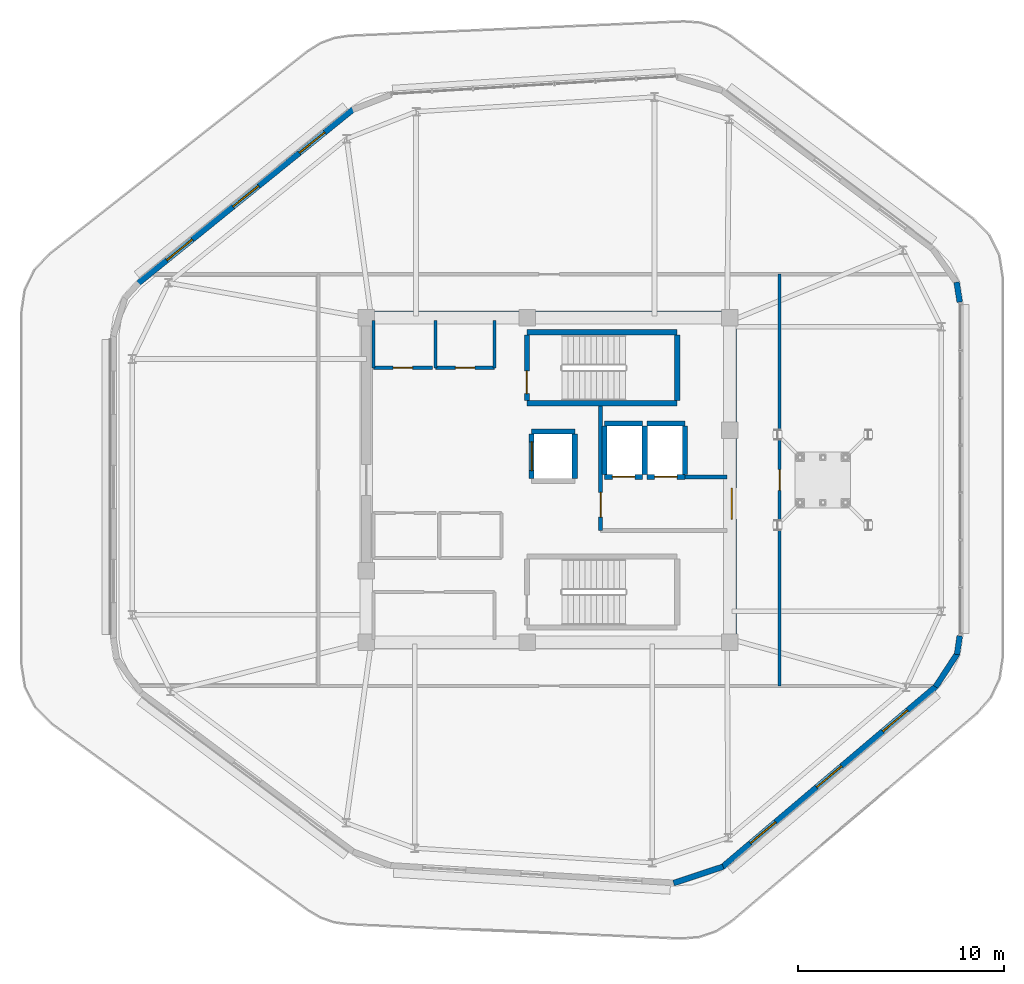
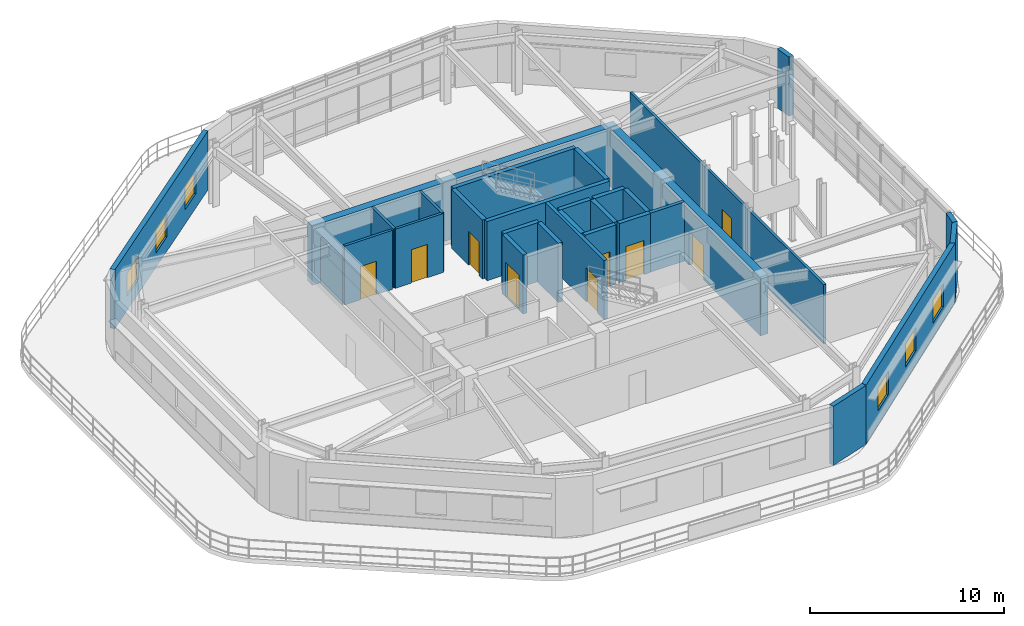
# One storey, part 9 of 13: 30 walls, 9 doors, 6 windows, 15 openings.
"""IFC4 building model written with IfcOpenShell, lengths in metres."""

import ifcopenshell
import ifcopenshell.guid

model = None  # the IFC model being written
_history = None  # IfcOwnerHistory: only IFC2X3 demands one
_inside = {}  # id of a spatial element -> (the spatial element, [elements in it])
_under = {}  # id of a project, library or spatial element -> (it, [spatial elements below it])
_declared = {}  # id of a project -> (the project, [libraries it declares])
_typed = {}  # id of a type object -> (the type object, [elements of that type])
_made_of = {}  # id of a material, layer set ... -> (it, [elements and type objects made of it])


def new_model(schema):
    """Start an empty IFC model of exactly this schema.

    Asked for "IFC4X3", IfcOpenShell would pick the latest addendum, in which some entities
    have other attributes; the version numbers below select the first issue.
    IFC2X3 requires an IfcOwnerHistory on every rooted entity: one is made here for all.
    """
    global model, _history
    if schema == "IFC4X3":
        model = ifcopenshell.file(schema_version=(4, 3, 0, 0))
    else:
        model = ifcopenshell.file(schema=schema)
    _inside.clear()
    _under.clear()
    _declared.clear()
    _typed.clear()
    _made_of.clear()
    _history = None
    if model.schema == "IFC2X3":
        org = make("IfcOrganization", Name="unknown")
        user = make(
            "IfcPersonAndOrganization",
            ThePerson=make("IfcPerson", FamilyName="unknown"),
            TheOrganization=org,
        )
        app = make(
            "IfcApplication",
            ApplicationDeveloper=org,
            Version="unknown",
            ApplicationFullName="unknown",
            ApplicationIdentifier="unknown",
        )
        _history = make(
            "IfcOwnerHistory",
            OwningUser=user,
            OwningApplication=app,
            ChangeAction="ADDED",
            CreationDate=0,
        )
    return model


def make(cls, **values):
    """One entity of the class cls with the attributes given. An attribute that is None is left unset."""
    return model.create_entity(
        cls, **{name: value for name, value in values.items() if value is not None}
    )


def rooted(cls, **values):
    """An entity with a GlobalId (a new one), such as an element, a storey or a relation."""
    return make(cls, GlobalId=ifcopenshell.guid.new(), OwnerHistory=_history, **values)


def si_unit(unit_type, name, prefix=None):
    """IfcSIUnit, for example si_unit("LENGTHUNIT", "METRE", prefix="MILLI")."""
    return make("IfcSIUnit", UnitType=unit_type, Prefix=prefix, Name=name)


def assignment(units):
    """IfcUnitAssignment: the units of a project."""
    return None if units is None else make("IfcUnitAssignment", Units=units)


def point(xyz):
    """IfcCartesianPoint."""
    return None if xyz is None else make("IfcCartesianPoint", Coordinates=xyz)


def direction(xyz):
    """IfcDirection."""
    return None if xyz is None else make("IfcDirection", DirectionRatios=xyz)


def frame(location, z_axis=None, x_axis=None):
    """IfcAxis2Placement3D, a coordinate frame: its origin and axes. An axis left out is left unset."""
    return make(
        "IfcAxis2Placement3D",
        Location=point(location),
        Axis=direction(z_axis),
        RefDirection=direction(x_axis),
    )


def frame_2d(location, x_axis=None):
    """IfcAxis2Placement2D, a coordinate frame in the plane: its origin and x axis."""
    return make(
        "IfcAxis2Placement2D", Location=point(location), RefDirection=direction(x_axis)
    )


def origin():
    """The frame at (0, 0, 0) with its axes left unset."""
    return frame((0.0, 0.0, 0.0))


def place(relative_to, where):
    """IfcLocalPlacement: puts the frame where relative to a parent placement (None: the world)."""
    return make(
        "IfcLocalPlacement", PlacementRelTo=relative_to, RelativePlacement=where
    )


def context(
    kind, dimensions, precision=None, world=None, true_north=None, identifier=None
):
    """IfcGeometricRepresentationContext, for example the 3D "Model" context."""
    return make(
        "IfcGeometricRepresentationContext",
        ContextIdentifier=identifier,
        ContextType=kind,
        CoordinateSpaceDimension=dimensions,
        Precision=precision,
        WorldCoordinateSystem=world,
        TrueNorth=true_north,
    )


def subcontext(parent, identifier, kind, view, scale=None):
    """IfcGeometricRepresentationSubContext, for example "Body" below "Model"."""
    return make(
        "IfcGeometricRepresentationSubContext",
        ContextIdentifier=identifier,
        ContextType=kind,
        ParentContext=parent,
        TargetScale=scale,
        TargetView=view,
    )


def project(units=None, contexts=None):
    """IfcProject with its units and contexts."""
    return rooted(
        "IfcProject",
        Name="project",
        RepresentationContexts=contexts,
        UnitsInContext=assignment(units),
    )


def spatial(cls, under=None, at=None, **own):
    """A site, building, storey or space (cls), placed at a placement, below another one or the project."""
    s = rooted(cls, ObjectPlacement=at, **own)
    if under is not None:
        _under.setdefault(under.id(), (under, []))[1].append(s)
    return s


def profile(cls, at=None, kind="AREA", **sizes):
    """A parametric profile (cls). Its sizes go by their IFC names, for example OverallWidth=200.0."""
    return make(cls, ProfileType=kind, Position=at, **sizes)


def rectangle(**sizes):
    """IfcRectangleProfileDef."""
    return profile("IfcRectangleProfileDef", **sizes)


def extrude(swept, where, along, depth):
    """IfcExtrudedAreaSolid: the profile swept, set in the frame where, extruded along a direction by depth."""
    return make(
        "IfcExtrudedAreaSolid",
        SweptArea=swept,
        Position=where,
        ExtrudedDirection=direction(along),
        Depth=depth,
    )


def shape(context_of_items, identifier, shape_type, items):
    """IfcShapeRepresentation: the items that make up one representation, for example the "Body"."""
    return make(
        "IfcShapeRepresentation",
        ContextOfItems=context_of_items,
        RepresentationIdentifier=identifier,
        RepresentationType=shape_type,
        Items=items,
    )


def material(Name=None, Category=None):
    """IfcMaterial."""
    return make("IfcMaterial", Name=Name, Category=Category)


def layer(
    of_material, thickness, ventilated=None, Name=None, Category=None, Priority=None
):
    """IfcMaterialLayer: one layer of a wall or slab, of a material (None: an air gap)."""
    return make(
        "IfcMaterialLayer",
        Material=of_material,
        LayerThickness=thickness,
        IsVentilated=ventilated,
        Name=Name,
        Category=Category,
        Priority=Priority,
    )


def layer_set(layers, Name=None):
    """IfcMaterialLayerSet."""
    return make("IfcMaterialLayerSet", MaterialLayers=layers, LayerSetName=Name)


def made_of(thing, what):
    """Note that an element or type object is made of a material, layer set ...; save() writes the relation."""
    if what is not None:
        _made_of.setdefault(what.id(), (what, []))[1].append(thing)
    return thing


def type_object(cls, material=None, **own):
    """A type object (cls), such as IfcWallType, which elements share."""
    return made_of(rooted(cls, **own), material)


def element(
    cls,
    number,
    at=None,
    inside=None,
    cuts=None,
    type_object=None,
    material=None,
    context=None,
    identifier="Body",
    shape_type=None,
    held_by="IfcProductDefinitionShape",
    body=None,
    shapes=None,
    **own,
):
    """One element of the class cls, such as IfcWall. Its Tag is "e" and its number.

    at: its placement. inside: the storey or other place that contains it. cuts: it is an
    opening in that element (IfcRelVoidsElement). A single representation is given by context,
    identifier, shape_type and body (its items); several are given by shapes. held_by: the class
    of the entity that holds the representations. save() writes the other relations.
    """
    e = rooted(cls, Tag="e%d" % number, ObjectPlacement=at, **own)
    if body is not None:
        shapes = [shape(context, identifier, shape_type, body)]
    if shapes is not None:
        e.Representation = make(held_by, Representations=shapes)
    if inside is not None:
        _inside.setdefault(inside.id(), (inside, []))[1].append(e)
    if cuts is not None:
        rooted(
            "IfcRelVoidsElement", RelatingBuildingElement=cuts, RelatedOpeningElement=e
        )
    if type_object is not None:
        _typed.setdefault(type_object.id(), (type_object, []))[1].append(e)
    return made_of(e, material)


def fill(opening, filler):
    """IfcRelFillsElement: the door or window that sits in an opening."""
    return rooted(
        "IfcRelFillsElement",
        RelatingOpeningElement=opening,
        RelatedBuildingElement=filler,
    )


def aggregate(whole, parts):
    """IfcRelAggregates: a whole, such as a stair, and the parts it consists of."""
    return rooted("IfcRelAggregates", RelatingObject=whole, RelatedObjects=parts)


def save(model, path):
    """Write the relations noted so far, then the file.

    IfcRelAggregates (storeys below a building ...), IfcRelContainedInSpatialStructure (elements
    in a storey), IfcRelDefinesByType, IfcRelAssociatesMaterial and IfcRelDeclares: one each for
    every whole, place, type object, material and project.
    """
    for whole, parts in _under.values():
        aggregate(whole, parts)
    for where, things in _inside.values():
        rooted(
            "IfcRelContainedInSpatialStructure",
            RelatedElements=things,
            RelatingStructure=where,
        )
    for kind, things in _typed.values():
        rooted("IfcRelDefinesByType", RelatedObjects=things, RelatingType=kind)
    for what, things in _made_of.values():
        rooted("IfcRelAssociatesMaterial", RelatedObjects=things, RelatingMaterial=what)
    for by, libraries in _declared.values():
        rooted("IfcRelDeclares", RelatingContext=by, RelatedDefinitions=libraries)
    model.write(path)


model = new_model("IFC4")

# Units and contexts
model_context = context("Model", 3, precision=1e-05, world=origin(), true_north=direction((0.0, 1.0)))
body_context = subcontext(model_context, "Body", "Model", "MODEL_VIEW")
ifc_project = project(units=[si_unit("LENGTHUNIT", "METRE"), si_unit("AREAUNIT", "SQUARE_METRE"), si_unit("VOLUMEUNIT", "CUBIC_METRE"), si_unit("PLANEANGLEUNIT", "RADIAN"), si_unit("MASSUNIT", "GRAM", prefix="KILO")], contexts=[model_context])

# Site, building, storey
site_placement = place(None, origin())
site = spatial("IfcSite", under=ifc_project, at=site_placement, CompositionType="ELEMENT")
building_placement = place(site_placement, origin())
building = spatial("IfcBuilding", under=site, at=building_placement, Name="Zulverin Broadcast Headquarters", CompositionType="ELEMENT")
storey_placement = place(building_placement, frame((0.0, 0.0, 313.39990234375)))
storey = spatial("IfcBuildingStorey", under=building, at=storey_placement, Name="C1", CompositionType="ELEMENT", Elevation=313.39990234375)

# Wall
ifc_material_1 = material(Name="Concrete C50/60", Category="concrete")
ifc_layer_1 = layer(ifc_material_1, 0.449951171875, Name="Concrete C50/60", Category="concrete")
ifc_layer_set_1 = layer_set([ifc_layer_1], Name="Concrete C50/60")
wall_type_1 = type_object("IfcWallType", Name="WL-CORE-450", PredefinedType="SHEAR", material=ifc_layer_set_1)
wall_1_placement = place(storey_placement, frame((30.39990234375, 33.175048828125, 0.0), z_axis=(0.0, 0.0, 1.0), x_axis=(1.0, 0.0, 0.0)))
element("IfcWall", 1, at=wall_1_placement, inside=storey, type_object=wall_type_1, Name="C1 Core North Shear Wall", PredefinedType="SHEAR", context=body_context, shape_type="SweptSolid", body=[
    extrude(rectangle(XDim=18.2001953125, YDim=0.449951171875, at=frame_2d((9.10009765625, 0.0))), origin(), (0.0, 0.0, 1.0), 3.72021484375),
])

# Wall, opening, door
wall_2_placement = place(storey_placement, frame((48.375, 17.449951171875, 0.0), z_axis=(0.0, 0.0, 1.0), x_axis=(0.0, 1.0, 0.0)))
wall_2 = element("IfcWall", 2, at=wall_2_placement, inside=storey, type_object=wall_type_1, Name="C1 Core East Shear Wall", PredefinedType="SHEAR", context=body_context, shape_type="SweptSolid", body=[
    extrude(rectangle(XDim=15.5, YDim=0.449951171875, at=frame_2d((7.75, 0.0))), origin(), (0.0, 0.0, 1.0), 3.72021484375),
])
opening_1_placement = place(wall_2_placement, frame((5.85009765625, 0.0, 0.0)))
opening_1 = element("IfcOpeningElement", 3, at=opening_1_placement, cuts=wall_2, Name="Opening D-C1-CE1", PredefinedType="OPENING", context=body_context, shape_type="SweptSolid", body=[
    extrude(rectangle(XDim=1.5, YDim=2.14990234375, at=frame_2d((0.75, 1.074951171875))), frame((0.0, 0.23486328125, 0.0), z_axis=(0.0, -1.0, 0.0), x_axis=(1.0, 0.0, 0.0)), (0.0, 0.0, 1.0), 0.469970703125),
])
ifc_material_2 = material(Name="Fire-rated glazed steel frame", Category="steel")
door_type_1 = type_object("IfcDoorType", Name="DR-COR-1500", OperationType="DOUBLE_DOOR_SINGLE_SWING", PredefinedType="DOOR", material=ifc_material_2)
door_1_placement = place(opening_1_placement, origin())
door_1 = element("IfcDoor", 4, at=door_1_placement, inside=storey, type_object=door_type_1, Name="C1 Firefighting Lobby East Corridor Door", OperationType="DOUBLE_DOOR_SINGLE_SWING", OverallHeight=2.14990234375, OverallWidth=1.5, PredefinedType="DOOR", context=body_context, shape_type="SweptSolid", body=[
    extrude(rectangle(XDim=1.5, YDim=2.14990234375, at=frame_2d((0.75, 1.074951171875))), frame((0.0, 0.02490234375, 0.0), z_axis=(0.0, -1.0, 0.0), x_axis=(1.0, 0.0, 0.0)), (0.0, 0.0, 1.0), 0.050048828125),
])
fill(opening_1, door_1)

# Wall, openings, windows
ifc_material_3 = material(Name="Insulated pale-metal clad concrete spandrel C40/50", Category="concrete")
ifc_layer_2 = layer(ifc_material_3, 0.280029296875, Name="Insulated pale-metal clad concrete spandrel C40/50", Category="concrete")
ifc_layer_set_2 = layer_set([ifc_layer_2], Name="Insulated pale-metal clad concrete spandrel C40/50")
wall_type_2 = type_object("IfcWallType", Name="WL-EXT-280", PredefinedType="STANDARD", material=ifc_layer_set_2)
wall_3_placement = place(storey_placement, frame((47.907958984375, 6.38818359375, 0.0), z_axis=(0.0, 0.0, 1.0), x_axis=(0.763574643448, 0.645719570621, 0.0)))
wall_3 = element("IfcWall", 5, at=wall_3_placement, inside=storey, type_object=wall_type_2, Name="C1 Pale-Metal Clad Spandrel Wall 2", PredefinedType="STANDARD", context=body_context, shape_type="SweptSolid", body=[
    extrude(rectangle(XDim=13.6162109375, YDim=0.280029296875, at=frame_2d((6.80810546875, 0.0))), origin(), (0.0, 0.0, 1.0), 3.72021484375),
])
opening_2_placement = place(wall_3_placement, frame((1.802734375, 0.0, 0.89990234375)))
opening_2 = element("IfcOpeningElement", 6, at=opening_2_placement, cuts=wall_3, Name="Opening W-C1-E21", PredefinedType="OPENING", context=body_context, shape_type="SweptSolid", body=[
    extrude(rectangle(XDim=1.60009765625, YDim=1.449951171875, at=frame_2d((0.800048828125, 0.72509765625))), frame((0.0, 0.14990234375, 0.0), z_axis=(0.0, -1.0, 0.0), x_axis=(1.0, 0.0, 0.0)), (0.0, 0.0, 1.0), 0.300048828125),
])
opening_3_placement = place(wall_3_placement, frame((6.008056640625, 0.0, 0.89990234375)))
opening_3 = element("IfcOpeningElement", 7, at=opening_3_placement, cuts=wall_3, Name="Opening W-C1-E22", PredefinedType="OPENING", context=body_context, shape_type="SweptSolid", body=[
    extrude(rectangle(XDim=1.60009765625, YDim=1.449951171875, at=frame_2d((0.800048828125, 0.72509765625))), frame((0.0, 0.14990234375, 0.0), z_axis=(0.0, -1.0, 0.0), x_axis=(1.0, 0.0, 0.0)), (0.0, 0.0, 1.0), 0.300048828125),
])
opening_4_placement = place(wall_3_placement, frame((10.21337890625, 0.0, 0.89990234375)))
opening_4 = element("IfcOpeningElement", 8, at=opening_4_placement, cuts=wall_3, Name="Opening W-C1-E23", PredefinedType="OPENING", context=body_context, shape_type="SweptSolid", body=[
    extrude(rectangle(XDim=1.60009765625, YDim=1.449951171875, at=frame_2d((0.800048828125, 0.72509765625))), frame((0.0, 0.14990234375, 0.0), z_axis=(0.0, -1.0, 0.0), x_axis=(1.0, 0.0, 0.0)), (0.0, 0.0, 1.0), 0.300048828125),
])
ifc_material_4 = material(Name="Pale anodized aluminium frame with solar-control low-E double glazing", Category="aluminium")
window_type = type_object("IfcWindowType", Name="WIN-CRN-1600", PartitioningType="SINGLE_PANEL", PredefinedType="WINDOW", material=ifc_material_4)
window_1_placement = place(opening_2_placement, origin())
window_1 = element("IfcWindow", 9, at=window_1_placement, inside=storey, type_object=window_type, Name="C1 Ribbon Glazing Window 2 1", OverallHeight=1.449951171875, OverallWidth=1.60009765625, PartitioningType="SINGLE_PANEL", PredefinedType="WINDOW", context=body_context, shape_type="SweptSolid", body=[
    extrude(rectangle(XDim=1.60009765625, YDim=1.449951171875, at=frame_2d((0.800048828125, 0.72509765625))), frame((0.0, 0.030029296875, 0.0), z_axis=(0.0, -1.0, 0.0), x_axis=(1.0, 0.0, 0.0)), (0.0, 0.0, 1.0), 0.06005859375),
])
fill(opening_2, window_1)
window_2_placement = place(opening_3_placement, origin())
window_2 = element("IfcWindow", 10, at=window_2_placement, inside=storey, type_object=window_type, Name="C1 Ribbon Glazing Window 2 2", OverallHeight=1.449951171875, OverallWidth=1.60009765625, PartitioningType="SINGLE_PANEL", PredefinedType="WINDOW", context=body_context, shape_type="SweptSolid", body=[
    extrude(rectangle(XDim=1.60009765625, YDim=1.449951171875, at=frame_2d((0.800048828125, 0.72509765625))), frame((0.0, 0.030029296875, 0.0), z_axis=(0.0, -1.0, 0.0), x_axis=(1.0, 0.0, 0.0)), (0.0, 0.0, 1.0), 0.06005859375),
])
fill(opening_3, window_2)
window_3_placement = place(opening_4_placement, origin())
window_3 = element("IfcWindow", 11, at=window_3_placement, inside=storey, type_object=window_type, Name="C1 Ribbon Glazing Window 2 3", OverallHeight=1.449951171875, OverallWidth=1.60009765625, PartitioningType="SINGLE_PANEL", PredefinedType="WINDOW", context=body_context, shape_type="SweptSolid", body=[
    extrude(rectangle(XDim=1.60009765625, YDim=1.449951171875, at=frame_2d((0.800048828125, 0.72509765625))), frame((0.0, 0.030029296875, 0.0), z_axis=(0.0, -1.0, 0.0), x_axis=(1.0, 0.0, 0.0)), (0.0, 0.0, 1.0), 0.06005859375),
])
fill(opening_4, window_3)

wall_4_placement = place(storey_placement, frame((29.9873046875, 43.20751953125, 0.0), z_axis=(0.0, 0.0, 1.0), x_axis=(-0.777319383305, -0.629106172548, 0.0)))
wall_4 = element("IfcWall", 12, at=wall_4_placement, inside=storey, type_object=wall_type_2, Name="C1 Pale-Metal Clad Spandrel Wall 6", PredefinedType="STANDARD", context=body_context, shape_type="SweptSolid", body=[
    extrude(rectangle(XDim=13.42822265625, YDim=0.280029296875, at=frame_2d((6.714111328125, 0.0))), origin(), (0.0, 0.0, 1.0), 3.72021484375),
])
opening_5_placement = place(wall_4_placement, frame((1.771484375, 0.0, 0.89990234375)))
opening_5 = element("IfcOpeningElement", 13, at=opening_5_placement, cuts=wall_4, Name="Opening W-C1-E61", PredefinedType="OPENING", context=body_context, shape_type="SweptSolid", body=[
    extrude(rectangle(XDim=1.60009765625, YDim=1.449951171875, at=frame_2d((0.800048828125, 0.72509765625))), frame((0.0, 0.14990234375, 0.0), z_axis=(0.0, -1.0, 0.0), x_axis=(1.0, 0.0, 0.0)), (0.0, 0.0, 1.0), 0.300048828125),
])
opening_6_placement = place(wall_4_placement, frame((5.9140625, 0.0, 0.89990234375)))
opening_6 = element("IfcOpeningElement", 14, at=opening_6_placement, cuts=wall_4, Name="Opening W-C1-E62", PredefinedType="OPENING", context=body_context, shape_type="SweptSolid", body=[
    extrude(rectangle(XDim=1.60009765625, YDim=1.449951171875, at=frame_2d((0.800048828125, 0.72509765625))), frame((0.0, 0.14990234375, 0.0), z_axis=(0.0, -1.0, 0.0), x_axis=(1.0, 0.0, 0.0)), (0.0, 0.0, 1.0), 0.300048828125),
])
opening_7_placement = place(wall_4_placement, frame((10.056884765625, 0.0, 0.89990234375)))
opening_7 = element("IfcOpeningElement", 15, at=opening_7_placement, cuts=wall_4, Name="Opening W-C1-E63", PredefinedType="OPENING", context=body_context, shape_type="SweptSolid", body=[
    extrude(rectangle(XDim=1.60009765625, YDim=1.449951171875, at=frame_2d((0.800048828125, 0.72509765625))), frame((0.0, 0.14990234375, 0.0), z_axis=(0.0, -1.0, 0.0), x_axis=(1.0, 0.0, 0.0)), (0.0, 0.0, 1.0), 0.300048828125),
])
window_4_placement = place(opening_5_placement, origin())
window_4 = element("IfcWindow", 16, at=window_4_placement, inside=storey, type_object=window_type, Name="C1 Ribbon Glazing Window 6 1", OverallHeight=1.449951171875, OverallWidth=1.60009765625, PartitioningType="SINGLE_PANEL", PredefinedType="WINDOW", context=body_context, shape_type="SweptSolid", body=[
    extrude(rectangle(XDim=1.60009765625, YDim=1.449951171875, at=frame_2d((0.800048828125, 0.72509765625))), frame((0.0, 0.030029296875, 0.0), z_axis=(0.0, -1.0, 0.0), x_axis=(1.0, 0.0, 0.0)), (0.0, 0.0, 1.0), 0.06005859375),
])
fill(opening_5, window_4)
window_5_placement = place(opening_6_placement, origin())
window_5 = element("IfcWindow", 17, at=window_5_placement, inside=storey, type_object=window_type, Name="C1 Ribbon Glazing Window 6 2", OverallHeight=1.449951171875, OverallWidth=1.60009765625, PartitioningType="SINGLE_PANEL", PredefinedType="WINDOW", context=body_context, shape_type="SweptSolid", body=[
    extrude(rectangle(XDim=1.60009765625, YDim=1.449951171875, at=frame_2d((0.800048828125, 0.72509765625))), frame((0.0, 0.030029296875, 0.0), z_axis=(0.0, -1.0, 0.0), x_axis=(1.0, 0.0, 0.0)), (0.0, 0.0, 1.0), 0.06005859375),
])
fill(opening_6, window_5)
window_6_placement = place(opening_7_placement, origin())
window_6 = element("IfcWindow", 18, at=window_6_placement, inside=storey, type_object=window_type, Name="C1 Ribbon Glazing Window 6 3", OverallHeight=1.449951171875, OverallWidth=1.60009765625, PartitioningType="SINGLE_PANEL", PredefinedType="WINDOW", context=body_context, shape_type="SweptSolid", body=[
    extrude(rectangle(XDim=1.60009765625, YDim=1.449951171875, at=frame_2d((0.800048828125, 0.72509765625))), frame((0.0, 0.030029296875, 0.0), z_axis=(0.0, -1.0, 0.0), x_axis=(1.0, 0.0, 0.0)), (0.0, 0.0, 1.0), 0.06005859375),
])
fill(opening_7, window_6)

# Walls
wall_5_placement = place(storey_placement, frame((45.549560546875, 5.616943359375, 0.0), z_axis=(0.0, 0.0, 1.0), x_axis=(0.949173652387, 0.314752883409, 0.0)))
element("IfcWall", 19, at=wall_5_placement, inside=storey, type_object=wall_type_2, Name="C1 Wind-Shaped Corner Spandrel Wall 1-1", PredefinedType="STANDARD", context=body_context, shape_type="SweptSolid", body=[
    extrude(rectangle(XDim=2.533203125, YDim=0.280029296875, at=frame_2d((1.2666015625, 0.0))), origin(), (0.0, 0.0, 1.0), 3.72021484375),
])
wall_6_placement = place(storey_placement, frame((58.2783203125, 15.14990234375, 0.0), z_axis=(0.0, 0.0, 1.0), x_axis=(0.547367908429, 0.836892091504, 0.0)))
element("IfcWall", 20, at=wall_6_placement, inside=storey, type_object=wall_type_2, Name="C1 Wind-Shaped Corner Spandrel Wall 2-1", PredefinedType="STANDARD", context=body_context, shape_type="SweptSolid", body=[
    extrude(rectangle(XDim=1.94189453125, YDim=0.280029296875, at=frame_2d((0.970947265625, 0.0))), origin(), (0.0, 0.0, 1.0), 3.72021484375),
])
wall_7_placement = place(storey_placement, frame((59.31982421875, 16.71875, 0.0), z_axis=(0.0, 0.0, 1.0), x_axis=(0.144404722788, 0.989518709291, 0.0)))
element("IfcWall", 21, at=wall_7_placement, inside=storey, type_object=wall_type_2, Name="C1 Wind-Shaped Corner Spandrel Wall 2-2", PredefinedType="STANDARD", context=body_context, shape_type="SweptSolid", body=[
    extrude(rectangle(XDim=0.916259765625, YDim=0.280029296875, at=frame_2d((0.4580078125, 0.0))), origin(), (0.0, 0.0, 1.0), 3.72021484375),
])
wall_8_placement = place(storey_placement, frame((59.45166015625, 33.841064453125, 0.0), z_axis=(0.0, 0.0, 1.0), x_axis=(-0.153890702538, 0.988087876493, 0.0)))
element("IfcWall", 22, at=wall_8_placement, inside=storey, type_object=wall_type_2, Name="C1 Wind-Shaped Corner Spandrel Wall 3-1", PredefinedType="STANDARD", context=body_context, shape_type="SweptSolid", body=[
    extrude(rectangle(XDim=0.98046875, YDim=0.280029296875, at=frame_2d((0.490234375, 0.0))), origin(), (0.0, 0.0, 1.0), 3.72021484375),
])

# Wall, opening, door
ifc_material_5 = material(Name="Concrete C40/50", Category="concrete")
ifc_layer_3 = layer(ifc_material_5, 0.199951171875, Name="Concrete C40/50", Category="concrete")
ifc_layer_set_3 = layer_set([ifc_layer_3], Name="Concrete C40/50")
wall_type_3 = type_object("IfcWallType", Name="WL-FFL-200", PredefinedType="SOLIDWALL", material=ifc_layer_set_3)
wall_9_placement = place(storey_placement, frame((42.0, 22.75, 0.0), z_axis=(0.0, 0.0, 1.0), x_axis=(0.0, 1.0, 0.0)))
wall_9 = element("IfcWall", 23, at=wall_9_placement, inside=storey, type_object=wall_type_3, Name="C1 Firefighting Lift Lobby West Wall", PredefinedType="SOLIDWALL", context=body_context, shape_type="SweptSolid", body=[
    extrude(rectangle(XDim=6.050048828125, YDim=0.199951171875, at=frame_2d((3.02490234375, 0.0))), origin(), (0.0, 0.0, 1.0), 3.72021484375),
])
opening_8_placement = place(wall_9_placement, frame((0.64990234375, 0.0, 0.0)))
opening_8 = element("IfcOpeningElement", 24, at=opening_8_placement, cuts=wall_9, Name="Opening D-C1-FFLW", PredefinedType="OPENING", context=body_context, shape_type="SweptSolid", body=[
    extrude(rectangle(XDim=1.199951171875, YDim=2.14990234375, at=frame_2d((0.60009765625, 1.074951171875))), frame((0.0, 0.10986328125, 0.0), z_axis=(0.0, -1.0, 0.0), x_axis=(1.0, 0.0, 0.0)), (0.0, 0.0, 1.0), 0.219970703125),
])
ifc_material_6 = material(Name="Fire-rated steel leaf and frame", Category="steel")
door_type_2 = type_object("IfcDoorType", Name="DR-FFL-1200", OperationType="SINGLE_SWING_RIGHT", PredefinedType="DOOR", material=ifc_material_6)
door_2_placement = place(opening_8_placement, origin())
door_2 = element("IfcDoor", 25, at=door_2_placement, inside=storey, type_object=door_type_2, Name="C1 Firefighting Lift Lobby Door", OperationType="SINGLE_SWING_RIGHT", OverallHeight=2.14990234375, OverallWidth=1.199951171875, PredefinedType="DOOR", context=body_context, shape_type="SweptSolid", body=[
    extrude(rectangle(XDim=1.199951171875, YDim=2.14990234375, at=frame_2d((0.60009765625, 1.074951171875))), frame((0.0, 0.02490234375, 0.0), z_axis=(0.0, -1.0, 0.0), x_axis=(1.0, 0.0, 0.0)), (0.0, 0.0, 1.0), 0.050048828125),
])
fill(opening_8, door_2)

# Wall
wall_10_placement = place(storey_placement, frame((46.10009765625, 25.35009765625, 0.0), z_axis=(0.0, 0.0, 1.0), x_axis=(1.0, 0.0, 0.0)))
element("IfcWall", 26, at=wall_10_placement, inside=storey, type_object=wall_type_3, Name="C1 Firefighting Lift Lobby North Wall", PredefinedType="SOLIDWALL", context=body_context, shape_type="SweptSolid", body=[
    extrude(rectangle(XDim=2.0498046875, YDim=0.199951171875, at=frame_2d((1.02490234375, 0.0))), origin(), (0.0, 0.0, 1.0), 3.72021484375),
])

# Wall, opening, door
ifc_material_7 = material(Name="Fire-rated gypsum stud partition", Category="gypsum")
ifc_layer_4 = layer(ifc_material_7, 0.14990234375, Name="Fire-rated gypsum stud partition", Category="gypsum")
ifc_layer_set_4 = layer_set([ifc_layer_4], Name="Fire-rated gypsum stud partition")
wall_type_4 = type_object("IfcWallType", Name="WL-PART-150", PredefinedType="PARTITIONING", material=ifc_layer_set_4)
wall_11_placement = place(storey_placement, frame((30.969970703125, 30.64990234375, 0.0), z_axis=(0.0, 0.0, 1.0), x_axis=(1.0, 0.0, 0.0)))
wall_11 = element("IfcWall", 27, at=wall_11_placement, inside=storey, type_object=wall_type_4, Name="C1 Core Accessible WC Front Wall", PredefinedType="PARTITIONING", context=body_context, shape_type="SweptSolid", body=[
    extrude(rectangle(XDim=2.860107421875, YDim=0.14990234375, at=frame_2d((1.43017578125, 0.0))), origin(), (0.0, 0.0, 1.0), 3.72021484375),
])
opening_9_placement = place(wall_11_placement, frame((0.955078125, 0.0, 0.0)))
opening_9 = element("IfcOpeningElement", 28, at=opening_9_placement, cuts=wall_11, Name="Opening D-C1-NC1", PredefinedType="OPENING", context=body_context, shape_type="SweptSolid", body=[
    extrude(rectangle(XDim=0.949951171875, YDim=2.10009765625, at=frame_2d((0.47509765625, 1.050048828125))), frame((0.0, 0.0849609375, 0.0), z_axis=(0.0, -1.0, 0.0), x_axis=(1.0, 0.0, 0.0)), (0.0, 0.0, 1.0), 0.169921875),
])
ifc_material_8 = material(Name="Fire-rated moisture-resistant laminate leaf", Category="wood")
door_type_3 = type_object("IfcDoorType", Name="DR-WC-950", OperationType="SINGLE_SWING_LEFT", PredefinedType="DOOR", material=ifc_material_8)
door_3_placement = place(opening_9_placement, origin())
door_3 = element("IfcDoor", 29, at=door_3_placement, inside=storey, type_object=door_type_3, Name="C1 Accessible WC Door", OperationType="SINGLE_SWING_LEFT", OverallHeight=2.10009765625, OverallWidth=0.949951171875, PredefinedType="DOOR", context=body_context, shape_type="SweptSolid", body=[
    extrude(rectangle(XDim=0.949951171875, YDim=2.10009765625, at=frame_2d((0.47509765625, 1.050048828125))), frame((0.0, 0.02490234375, 0.0), z_axis=(0.0, -1.0, 0.0), x_axis=(1.0, 0.0, 0.0)), (0.0, 0.0, 1.0), 0.050048828125),
])
fill(opening_9, door_3)

# Wall
wall_12_placement = place(storey_placement, frame((30.969970703125, 30.64990234375, 0.0), z_axis=(0.0, 0.0, 1.0), x_axis=(0.0, 1.0, 0.0)))
element("IfcWall", 30, at=wall_12_placement, inside=storey, type_object=wall_type_4, Name="C1 Core Accessible WC West Wall", PredefinedType="PARTITIONING", context=body_context, shape_type="SweptSolid", body=[
    extrude(rectangle(XDim=2.300048828125, YDim=0.14990234375, at=frame_2d((1.14990234375, 0.0))), origin(), (0.0, 0.0, 1.0), 2.820068359375),
])

# Wall, opening, door
wall_13_placement = place(storey_placement, frame((33.989990234375, 30.64990234375, 0.0), z_axis=(0.0, 0.0, 1.0), x_axis=(1.0, 0.0, 0.0)))
wall_13 = element("IfcWall", 31, at=wall_13_placement, inside=storey, type_object=wall_type_4, Name="C1 Core Male WC Front Wall", PredefinedType="PARTITIONING", context=body_context, shape_type="SweptSolid", body=[
    extrude(rectangle(XDim=2.860107421875, YDim=0.14990234375, at=frame_2d((1.43017578125, 0.0))), origin(), (0.0, 0.0, 1.0), 3.72021484375),
])
opening_10_placement = place(wall_13_placement, frame((0.955078125, 0.0, 0.0)))
opening_10 = element("IfcOpeningElement", 32, at=opening_10_placement, cuts=wall_13, Name="Opening D-C1-NC2", PredefinedType="OPENING", context=body_context, shape_type="SweptSolid", body=[
    extrude(rectangle(XDim=0.949951171875, YDim=2.10009765625, at=frame_2d((0.47509765625, 1.050048828125))), frame((0.0, 0.0849609375, 0.0), z_axis=(0.0, -1.0, 0.0), x_axis=(1.0, 0.0, 0.0)), (0.0, 0.0, 1.0), 0.169921875),
])
door_4_placement = place(opening_10_placement, origin())
door_4 = element("IfcDoor", 33, at=door_4_placement, inside=storey, type_object=door_type_3, Name="C1 Male WC Door", OperationType="SINGLE_SWING_RIGHT", OverallHeight=2.10009765625, OverallWidth=0.949951171875, PredefinedType="DOOR", context=body_context, shape_type="SweptSolid", body=[
    extrude(rectangle(XDim=0.949951171875, YDim=2.10009765625, at=frame_2d((0.47509765625, 1.050048828125))), frame((0.0, 0.02490234375, 0.0), z_axis=(0.0, -1.0, 0.0), x_axis=(1.0, 0.0, 0.0)), (0.0, 0.0, 1.0), 0.050048828125),
])
fill(opening_10, door_4)

# Walls
for number, where, z_axis, x_axis, name in (
    (34, (33.989990234375, 30.64990234375, 0.0), (0.0, 0.0, 1.0), (0.0, 1.0, 0.0), "C1 Core Male WC West Wall"),
    (35, (36.85009765625, 30.64990234375, 0.0), (0.0, 0.0, 1.0), (0.0, 1.0, 0.0), "C1 Core Male WC East Wall"),
):
    element("IfcWall", number, at=place(storey_placement, frame(where, z_axis=z_axis, x_axis=x_axis)), inside=storey, type_object=wall_type_4, Name=name, PredefinedType="PARTITIONING", context=body_context, shape_type="SweptSolid", body=[
        extrude(rectangle(XDim=2.300048828125, YDim=0.14990234375, at=frame_2d((1.14990234375, 0.0))), origin(), (0.0, 0.0, 1.0), 3.72021484375),
    ])

# Wall, opening, door
wall_14_placement = place(storey_placement, frame((50.699951171875, 15.199951171875, 0.0), z_axis=(0.0, 0.0, 1.0), x_axis=(0.0, 1.0, 0.0)))
wall_14 = element("IfcWall", 36, at=wall_14_placement, inside=storey, type_object=wall_type_4, Name="C1 Gallery Partition Wall CG-01", PredefinedType="PARTITIONING", context=body_context, shape_type="SweptSolid", body=[
    extrude(rectangle(XDim=20.0, YDim=0.14990234375, at=frame_2d((10.0, 0.0))), origin(), (0.0, 0.0, 1.0), 3.72021484375),
])
opening_11_placement = place(wall_14_placement, frame((9.5, 0.0, 0.0)))
opening_11 = element("IfcOpeningElement", 37, at=opening_11_placement, cuts=wall_14, Name="Opening D-C1-CR2", PredefinedType="OPENING", context=body_context, shape_type="SweptSolid", body=[
    extrude(rectangle(XDim=1.0, YDim=2.1201171875, at=frame_2d((0.5, 1.06005859375))), frame((0.0, 0.0849609375, 0.0), z_axis=(0.0, -1.0, 0.0), x_axis=(1.0, 0.0, 0.0)), (0.0, 0.0, 1.0), 0.169921875),
])
ifc_material_9 = material(Name="Hardwood veneer acoustic leaf", Category="wood")
door_type_4 = type_object("IfcDoorType", Name="DR-OFF-1000", OperationType="SINGLE_SWING_LEFT", PredefinedType="DOOR", material=ifc_material_9)
door_5_placement = place(opening_11_placement, origin())
door_5 = element("IfcDoor", 38, at=door_5_placement, inside=storey, type_object=door_type_4, Name="Tuned Mass Damper Mechanical Plant Hall Door", OperationType="SINGLE_SWING_LEFT", OverallHeight=2.1201171875, OverallWidth=1.0, PredefinedType="DOOR", context=body_context, shape_type="SweptSolid", body=[
    extrude(rectangle(XDim=1.0, YDim=2.1201171875, at=frame_2d((0.5, 1.06005859375))), frame((0.0, 0.02490234375, 0.0), z_axis=(0.0, -1.0, 0.0), x_axis=(1.0, 0.0, 0.0)), (0.0, 0.0, 1.0), 0.050048828125),
])
fill(opening_11, door_5)

# Walls
ifc_layer_5 = layer(ifc_material_1, 0.25, Name="Concrete C50/60", Category="concrete")
ifc_layer_set_5 = layer_set([ifc_layer_5], Name="Concrete C50/60")
wall_type_5 = type_object("IfcWallType", Name="WL-SHAFT-250", PredefinedType="SHEAR", material=ifc_layer_set_5)
for number, where, z_axis, x_axis, name in (
    (39, (38.425048828125, 28.925048828125, 0.0), (0.0, 0.0, 1.0), (1.0, 0.0, 0.0), "C1 ST-1 Enclosure Wall S"),
    (40, (38.425048828125, 32.375, 0.0), (0.0, 0.0, 1.0), (1.0, 0.0, 0.0), "C1 ST-1 Enclosure Wall N"),
):
    element("IfcWall", number, at=place(storey_placement, frame(where, z_axis=z_axis, x_axis=x_axis)), inside=storey, type_object=wall_type_5, Name=name, PredefinedType="SHEAR", context=body_context, shape_type="SweptSolid", body=[
        extrude(rectangle(XDim=7.300048828125, YDim=0.25, at=frame_2d((3.64990234375, 0.0))), origin(), (0.0, 0.0, 1.0), 3.72021484375),
    ])

# Wall, opening, door
wall_15_placement = place(storey_placement, frame((38.425048828125, 29.050048828125, 0.0), z_axis=(0.0, 0.0, 1.0), x_axis=(0.0, 1.0, 0.0)))
wall_15 = element("IfcWall", 41, at=wall_15_placement, inside=storey, type_object=wall_type_5, Name="C1 ST-1 Enclosure Wall W", PredefinedType="SHEAR", context=body_context, shape_type="SweptSolid", body=[
    extrude(rectangle(XDim=3.199951171875, YDim=0.25, at=frame_2d((1.60009765625, 0.0))), origin(), (0.0, 0.0, 1.0), 3.72021484375),
])
opening_12_placement = place(wall_15_placement, frame((0.35009765625, 0.0, 0.0)))
opening_12 = element("IfcOpeningElement", 42, at=opening_12_placement, cuts=wall_15, Name="Opening D-C1-ST-1", PredefinedType="OPENING", context=body_context, shape_type="SweptSolid", body=[
    extrude(rectangle(XDim=1.10009765625, YDim=2.14990234375, at=frame_2d((0.550048828125, 1.074951171875))), frame((0.0, 0.135009765625, 0.0), z_axis=(0.0, -1.0, 0.0), x_axis=(1.0, 0.0, 0.0)), (0.0, 0.0, 1.0), 0.27001953125),
])
door_type_5 = type_object("IfcDoorType", Name="DR-STAIR-1100", OperationType="SINGLE_SWING_LEFT", PredefinedType="DOOR", material=ifc_material_6)
door_6_placement = place(opening_12_placement, origin())
door_6 = element("IfcDoor", 43, at=door_6_placement, inside=storey, type_object=door_type_5, Name="C1 Exit Stair ST-1 Fire Door", OperationType="SINGLE_SWING_LEFT", OverallHeight=2.14990234375, OverallWidth=1.10009765625, PredefinedType="DOOR", context=body_context, shape_type="SweptSolid", body=[
    extrude(rectangle(XDim=1.10009765625, YDim=2.14990234375, at=frame_2d((0.550048828125, 1.074951171875))), frame((0.0, 0.02490234375, 0.0), z_axis=(0.0, -1.0, 0.0), x_axis=(1.0, 0.0, 0.0)), (0.0, 0.0, 1.0), 0.050048828125),
])
fill(opening_12, door_6)

# Wall
wall_16_placement = place(storey_placement, frame((45.72509765625, 29.050048828125, 0.0), z_axis=(0.0, 0.0, 1.0), x_axis=(0.0, 1.0, 0.0)))
element("IfcWall", 44, at=wall_16_placement, inside=storey, type_object=wall_type_5, Name="C1 ST-1 Enclosure Wall E", PredefinedType="SHEAR", context=body_context, shape_type="SweptSolid", body=[
    extrude(rectangle(XDim=3.199951171875, YDim=0.25, at=frame_2d((1.60009765625, 0.0))), origin(), (0.0, 0.0, 1.0), 3.72021484375),
])

# Wall, opening, door
wall_17_placement = place(storey_placement, frame((42.199951171875, 25.35009765625, 0.0), z_axis=(0.0, 0.0, 1.0), x_axis=(1.0, 0.0, 0.0)))
wall_17 = element("IfcWall", 45, at=wall_17_placement, inside=storey, type_object=wall_type_5, Name="C1 Lift FFL-1 Shaft Wall S", PredefinedType="SHEAR", context=body_context, shape_type="SweptSolid", body=[
    extrude(rectangle(XDim=1.85009765625, YDim=0.25, at=frame_2d((0.925048828125, 0.0))), origin(), (0.0, 0.0, 1.0), 3.72021484375),
])
opening_13_placement = place(wall_17_placement, frame((0.375, 0.0, 0.0)))
opening_13 = element("IfcOpeningElement", 46, at=opening_13_placement, cuts=wall_17, Name="Opening LD-FFL-1-C1", PredefinedType="OPENING", context=body_context, shape_type="SweptSolid", body=[
    extrude(rectangle(XDim=1.10009765625, YDim=2.14990234375, at=frame_2d((0.550048828125, 1.074951171875))), frame((0.0, 0.135009765625, 0.0), z_axis=(0.0, -1.0, 0.0), x_axis=(1.0, 0.0, 0.0)), (0.0, 0.0, 1.0), 0.27001953125),
])
ifc_material_10 = material(Name="Fire-rated stainless landing door", Category="steel")
door_type_6 = type_object("IfcDoorType", Name="LD-FFL-1100", OperationType="DOUBLE_DOOR_SLIDING", PredefinedType="DOOR", material=ifc_material_10)
door_7_placement = place(opening_13_placement, origin())
door_7 = element("IfcDoor", 47, at=door_7_placement, inside=storey, type_object=door_type_6, Name="C1 Lift FFL-1 Sliding Landing Door", OperationType="DOUBLE_DOOR_SLIDING", OverallHeight=2.14990234375, OverallWidth=1.10009765625, PredefinedType="DOOR", context=body_context, shape_type="SweptSolid", body=[
    extrude(rectangle(XDim=1.10009765625, YDim=2.14990234375, at=frame_2d((0.550048828125, 1.074951171875))), frame((0.0, 0.02490234375, 0.0), z_axis=(0.0, -1.0, 0.0), x_axis=(1.0, 0.0, 0.0)), (0.0, 0.0, 1.0), 0.050048828125),
])
fill(opening_13, door_7)

# Walls
wall_18_placement = place(storey_placement, frame((42.199951171875, 27.949951171875, 0.0), z_axis=(0.0, 0.0, 1.0), x_axis=(1.0, 0.0, 0.0)))
element("IfcWall", 48, at=wall_18_placement, inside=storey, type_object=wall_type_5, Name="C1 Lift FFL-1 Shaft Wall N", PredefinedType="SHEAR", context=body_context, shape_type="SweptSolid", body=[
    extrude(rectangle(XDim=1.85009765625, YDim=0.25, at=frame_2d((0.925048828125, 0.0))), origin(), (0.0, 0.0, 1.0), 3.72021484375),
])
for number, where, z_axis, x_axis, name in (
    (49, (42.199951171875, 25.469970703125, 0.0), (0.0, 0.0, 1.0), (0.0, 1.0, 0.0), "C1 Lift FFL-1 Shaft Wall W"),
    (50, (44.14990234375, 25.469970703125, 0.0), (0.0, 0.0, 1.0), (0.0, 1.0, 0.0), "C1 Lift FFL-1 Shaft Wall E"),
):
    element("IfcWall", number, at=place(storey_placement, frame(where, z_axis=z_axis, x_axis=x_axis)), inside=storey, type_object=wall_type_5, Name=name, PredefinedType="SHEAR", context=body_context, shape_type="SweptSolid", body=[
        extrude(rectangle(XDim=2.360107421875, YDim=0.25, at=frame_2d((1.18017578125, 0.0))), origin(), (0.0, 0.0, 1.0), 3.72021484375),
    ])

# Wall, opening, door
wall_19_placement = place(storey_placement, frame((44.25, 25.35009765625, 0.0), z_axis=(0.0, 0.0, 1.0), x_axis=(1.0, 0.0, 0.0)))
wall_19 = element("IfcWall", 51, at=wall_19_placement, inside=storey, type_object=wall_type_5, Name="C1 Lift FFL-2 Shaft Wall S", PredefinedType="SHEAR", context=body_context, shape_type="SweptSolid", body=[
    extrude(rectangle(XDim=1.85009765625, YDim=0.25, at=frame_2d((0.925048828125, 0.0))), origin(), (0.0, 0.0, 1.0), 3.72021484375),
])
opening_14_placement = place(wall_19_placement, frame((0.375, 0.0, 0.0)))
opening_14 = element("IfcOpeningElement", 52, at=opening_14_placement, cuts=wall_19, Name="Opening LD-FFL-2-C1", PredefinedType="OPENING", context=body_context, shape_type="SweptSolid", body=[
    extrude(rectangle(XDim=1.10009765625, YDim=2.14990234375, at=frame_2d((0.550048828125, 1.074951171875))), frame((0.0, 0.135009765625, 0.0), z_axis=(0.0, -1.0, 0.0), x_axis=(1.0, 0.0, 0.0)), (0.0, 0.0, 1.0), 0.27001953125),
])
door_8_placement = place(opening_14_placement, origin())
door_8 = element("IfcDoor", 53, at=door_8_placement, inside=storey, type_object=door_type_6, Name="C1 Lift FFL-2 Sliding Landing Door", OperationType="DOUBLE_DOOR_SLIDING", OverallHeight=2.14990234375, OverallWidth=1.10009765625, PredefinedType="DOOR", context=body_context, shape_type="SweptSolid", body=[
    extrude(rectangle(XDim=1.10009765625, YDim=2.14990234375, at=frame_2d((0.550048828125, 1.074951171875))), frame((0.0, 0.02490234375, 0.0), z_axis=(0.0, -1.0, 0.0), x_axis=(1.0, 0.0, 0.0)), (0.0, 0.0, 1.0), 0.050048828125),
])
fill(opening_14, door_8)

# Walls
wall_20_placement = place(storey_placement, frame((44.25, 27.949951171875, 0.0), z_axis=(0.0, 0.0, 1.0), x_axis=(1.0, 0.0, 0.0)))
element("IfcWall", 54, at=wall_20_placement, inside=storey, type_object=wall_type_5, Name="C1 Lift FFL-2 Shaft Wall N", PredefinedType="SHEAR", context=body_context, shape_type="SweptSolid", body=[
    extrude(rectangle(XDim=1.85009765625, YDim=0.25, at=frame_2d((0.925048828125, 0.0))), origin(), (0.0, 0.0, 1.0), 3.72021484375),
])
wall_21_placement = place(storey_placement, frame((46.10009765625, 25.469970703125, 0.0), z_axis=(0.0, 0.0, 1.0), x_axis=(0.0, 1.0, 0.0)))
element("IfcWall", 55, at=wall_21_placement, inside=storey, type_object=wall_type_5, Name="C1 Lift FFL-2 Shaft Wall E", PredefinedType="SHEAR", context=body_context, shape_type="SweptSolid", body=[
    extrude(rectangle(XDim=2.360107421875, YDim=0.25, at=frame_2d((1.18017578125, 0.0))), origin(), (0.0, 0.0, 1.0), 3.72021484375),
])
wall_22_placement = place(storey_placement, frame((38.64990234375, 27.550048828125, 0.0), z_axis=(0.0, 0.0, 1.0), x_axis=(1.0, 0.0, 0.0)))
element("IfcWall", 56, at=wall_22_placement, inside=storey, type_object=wall_type_5, Name="C1 Lift SVL-1 Shaft Wall N", PredefinedType="SHEAR", context=body_context, shape_type="SweptSolid", body=[
    extrude(rectangle(XDim=2.10009765625, YDim=0.25, at=frame_2d((1.050048828125, 0.0))), origin(), (0.0, 0.0, 1.0), 3.72021484375),
])

# Wall, opening, door
wall_23_placement = place(storey_placement, frame((38.64990234375, 25.27001953125, 0.0), z_axis=(0.0, 0.0, 1.0), x_axis=(0.0, 1.0, 0.0)))
wall_23 = element("IfcWall", 57, at=wall_23_placement, inside=storey, type_object=wall_type_5, Name="C1 Lift SVL-1 Shaft Wall W", PredefinedType="SHEAR", context=body_context, shape_type="SweptSolid", body=[
    extrude(rectangle(XDim=2.159912109375, YDim=0.25, at=frame_2d((1.080078125, 0.0))), origin(), (0.0, 0.0, 1.0), 3.72021484375),
])
opening_15_placement = place(wall_23_placement, frame((0.3798828125, 0.0, 0.0)))
opening_15 = element("IfcOpeningElement", 58, at=opening_15_placement, cuts=wall_23, Name="Opening LD-SVL-1-C1", PredefinedType="OPENING", context=body_context, shape_type="SweptSolid", body=[
    extrude(rectangle(XDim=1.39990234375, YDim=2.199951171875, at=frame_2d((0.699951171875, 1.10009765625))), frame((0.0, 0.135009765625, 0.0), z_axis=(0.0, -1.0, 0.0), x_axis=(1.0, 0.0, 0.0)), (0.0, 0.0, 1.0), 0.27001953125),
])
ifc_material_11 = material(Name="Heavy-duty stainless landing door", Category="steel")
door_type_7 = type_object("IfcDoorType", Name="LD-GOODS-1400", OperationType="DOUBLE_DOOR_SLIDING", PredefinedType="DOOR", material=ifc_material_11)
door_9_placement = place(opening_15_placement, origin())
door_9 = element("IfcDoor", 59, at=door_9_placement, inside=storey, type_object=door_type_7, Name="C1 Lift SVL-1 Sliding Landing Door", OperationType="DOUBLE_DOOR_SLIDING", OverallHeight=2.199951171875, OverallWidth=1.39990234375, PredefinedType="DOOR", context=body_context, shape_type="SweptSolid", body=[
    extrude(rectangle(XDim=1.39990234375, YDim=2.199951171875, at=frame_2d((0.699951171875, 1.10009765625))), frame((0.0, 0.02490234375, 0.0), z_axis=(0.0, -1.0, 0.0), x_axis=(1.0, 0.0, 0.0)), (0.0, 0.0, 1.0), 0.050048828125),
])
fill(opening_15, door_9)

# Wall
wall_24_placement = place(storey_placement, frame((40.75, 25.27001953125, 0.0), z_axis=(0.0, 0.0, 1.0), x_axis=(0.0, 1.0, 0.0)))
element("IfcWall", 60, at=wall_24_placement, inside=storey, type_object=wall_type_5, Name="C1 Lift SVL-1 Shaft Wall E", PredefinedType="SHEAR", context=body_context, shape_type="SweptSolid", body=[
    extrude(rectangle(XDim=2.159912109375, YDim=0.25, at=frame_2d((1.080078125, 0.0))), origin(), (0.0, 0.0, 1.0), 3.72021484375),
])

save(model, "model.ifc")
